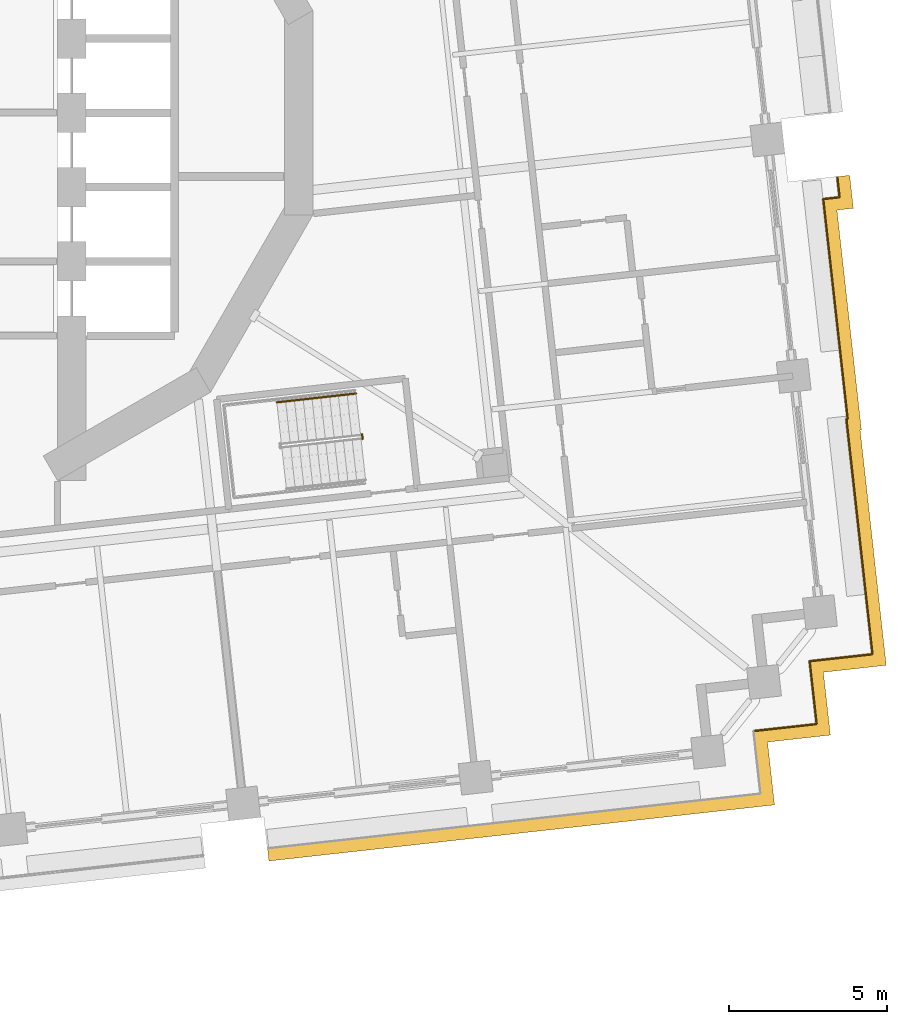
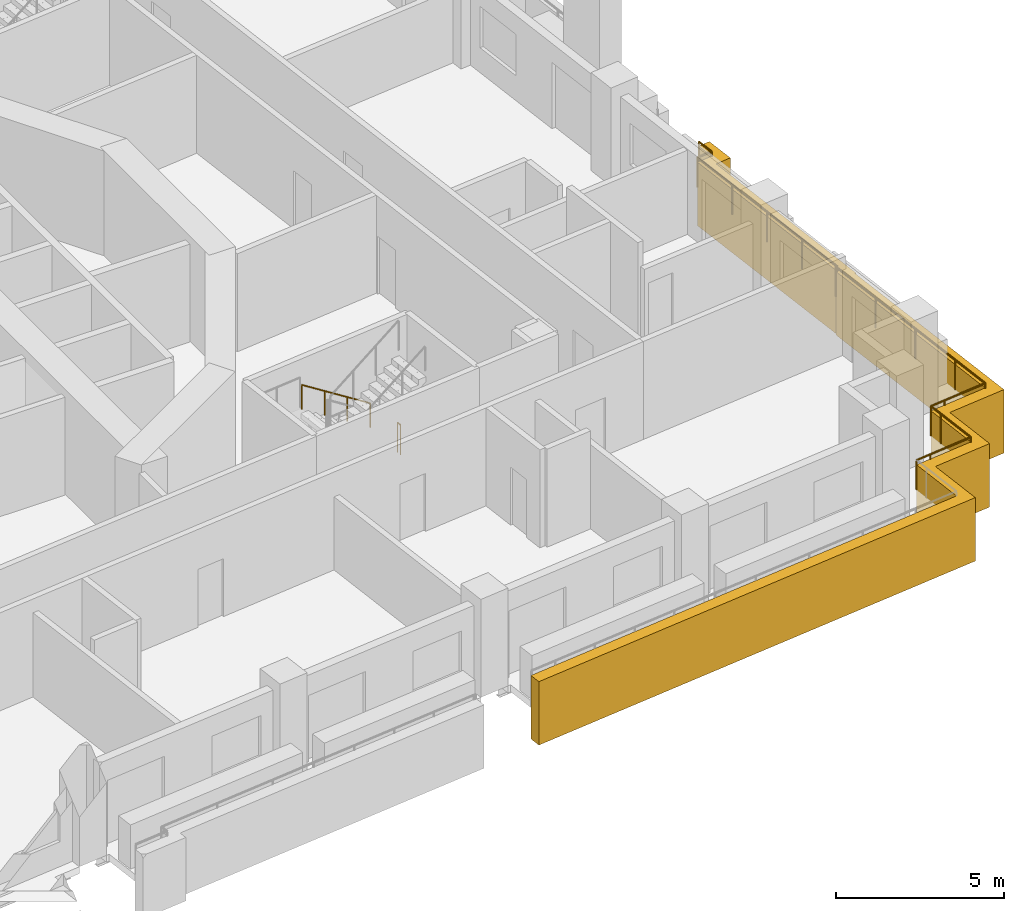
# One storey, part 15 of 19: 3 railings, 1 covering.
"""IFC4 building model written with IfcOpenShell, lengths in metres."""

from ifc_helpers import new_model, si_unit, direction, frame, origin, origin_2d, place, context, subcontext, project, spatial, polyline, circle, outline, extrude, material, type_object, element, save


model = new_model("IFC4")

# Units and contexts
model_context = context("Model", 3, precision=1e-05, world=origin(), true_north=direction((0.0, 1.0)))
body_context = subcontext(model_context, "Body", "Model", "MODEL_VIEW")
ifc_project = project(units=[si_unit("LENGTHUNIT", "METRE"), si_unit("AREAUNIT", "SQUARE_METRE"), si_unit("VOLUMEUNIT", "CUBIC_METRE"), si_unit("PLANEANGLEUNIT", "RADIAN"), si_unit("MASSUNIT", "GRAM", prefix="KILO")], contexts=[model_context])

# Site, building, storey
site_placement = place(None, origin())
site = spatial("IfcSite", under=ifc_project, at=site_placement, CompositionType="ELEMENT")
building_placement = place(site_placement, origin())
building = spatial("IfcBuilding", under=site, at=building_placement, Name="Cantera Rosa Tower", CompositionType="ELEMENT")
storey_placement = place(building_placement, frame((0.0, 0.0, 65.300048828125)))
storey = spatial("IfcBuildingStorey", under=building, at=storey_placement, Name="L13", CompositionType="ELEMENT", Elevation=65.300048828125)

# Railings
ifc_material_1 = material(Name="Stainless steel and laminated glass", Category="steel")
railing_type_1 = type_object("IfcRailingType", Name="GUARD 1100", PredefinedType="BALUSTRADE", material=ifc_material_1)
railing_1_placement = place(storey_placement, frame((28.659423828125, -2.041015625, 0.0)))
element("IfcRailing", 1, at=railing_1_placement, inside=storey, type_object=railing_type_1, Name="GUARD L13-8", PredefinedType="BALUSTRADE", context=body_context, shape_type="SweptSolid", body=[
    extrude(circle(Radius=0.030029296875, at=origin_2d()), frame((0.0, 0.0, 1.070068359375), z_axis=(0.110559257296, -0.993869534006, 0.0), x_axis=(0.993869534006, 0.110559257296, 0.0)), (0.0, 0.0, 1.0), 0.62939453125),
    extrude(circle(Radius=0.030029296875, at=origin_2d()), frame((0.069580078125, -0.62548828125, 1.070068359375), z_axis=(-0.993883734674, -0.110431526075, 0.0), x_axis=(0.110431526075, -0.993883734674, 0.0)), (0.0, 0.0, 1.0), 0.51953125),
    extrude(circle(Radius=0.030029296875, at=origin_2d()), frame((-0.44677734375, -0.682861328125, 1.070068359375), z_axis=(0.110339663776, -0.993893937298, 0.0), x_axis=(0.993893937298, 0.110339663776, 0.0)), (0.0, 0.0, 1.0), 7.000732421875),
    extrude(circle(Radius=0.030029296875, at=origin_2d()), frame((0.32568359375, -7.640869140625, 1.070068359375), z_axis=(-0.994030677348, -0.109100928002, 0.0), x_axis=(0.109100928002, -0.994030677348, 0.0)), (0.0, 0.0, 1.0), 0.040283203125),
    extrude(circle(Radius=0.030029296875, at=origin_2d()), frame((0.28564453125, -7.645263671875, 1.070068359375), z_axis=(0.110315018508, -0.993896673046, 0.0), x_axis=(0.993896673046, 0.110315018508, 0.0)), (0.0, 0.0, 1.0), 5.979736328125),
    extrude(circle(Radius=0.030029296875, at=origin_2d()), frame((0.9453125, -13.588623046875, 1.070068359375), z_axis=(0.110360064491, -0.993891672249, 0.0), x_axis=(0.993891672249, 0.110360064491, 0.0)), (0.0, 0.0, 1.0), 1.5),
    extrude(circle(Radius=0.030029296875, at=origin_2d()), frame((1.11083984375, -15.079345703125, 1.070068359375), z_axis=(-0.993891672249, -0.110360064491, 0.0), x_axis=(0.110360064491, -0.993891672249, 0.0)), (0.0, 0.0, 1.0), 1.5),
    extrude(circle(Radius=0.030029296875, at=origin_2d()), frame((-0.3798828125, -15.244873046875, 1.070068359375), z_axis=(-0.993895635261, -0.110324368158, 0.0), x_axis=(0.110324368158, -0.993895635261, 0.0)), (0.0, 0.0, 1.0), 0.500244140625),
    extrude(circle(Radius=0.030029296875, at=origin_2d()), frame((-0.876953125, -15.300048828125, 1.070068359375), z_axis=(0.110324368158, -0.993895635261, 0.0), x_axis=(0.993895635261, 0.110324368158, 0.0)), (0.0, 0.0, 1.0), 0.500244140625),
    extrude(circle(Radius=0.030029296875, at=origin_2d()), frame((-0.82177734375, -15.797119140625, 1.070068359375), z_axis=(0.110360064491, -0.993891672249, 0.0), x_axis=(0.993891672249, 0.110360064491, 0.0)), (0.0, 0.0, 1.0), 1.5),
    extrude(circle(Radius=0.030029296875, at=origin_2d()), frame((-0.65625, -17.287841796875, 1.070068359375), z_axis=(-0.993893654236, -0.110342213455, 0.0), x_axis=(0.110342213455, -0.993893654236, 0.0)), (0.0, 0.0, 1.0), 1.500244140625),
    extrude(circle(Radius=0.030029296875, at=origin_2d()), frame((-2.147216796875, -17.453369140625, 1.070068359375), z_axis=(-0.9938896893, -0.110377921269, 0.0), x_axis=(0.110377921269, -0.9938896893, 0.0)), (0.0, 0.0, 1.0), 0.5),
    extrude(circle(Radius=0.02490234375, at=origin_2d()), origin(), (0.0, 0.0, 1.0), 1.0400390625),
    extrude(circle(Radius=0.02490234375, at=origin_2d()), frame((0.069580078125, -0.62548828125, 0.0)), (0.0, 0.0, 1.0), 1.0400390625),
    extrude(circle(Radius=0.02490234375, at=origin_2d()), frame((-0.44677734375, -0.682861328125, 0.0)), (0.0, 0.0, 1.0), 1.0400390625),
    extrude(circle(Radius=0.02490234375, at=origin_2d()), frame((-0.253662109375, -2.42236328125, 0.0)), (0.0, 0.0, 1.0), 1.0400390625),
    extrude(circle(Radius=0.02490234375, at=origin_2d()), frame((-0.060546875, -4.161865234375, 0.0)), (0.0, 0.0, 1.0), 1.0400390625),
    extrude(circle(Radius=0.02490234375, at=origin_2d()), frame((0.132568359375, -5.9013671875, 0.0)), (0.0, 0.0, 1.0), 1.0400390625),
    extrude(circle(Radius=0.02490234375, at=origin_2d()), frame((0.32568359375, -7.640869140625, 0.0)), (0.0, 0.0, 1.0), 1.0400390625),
    extrude(circle(Radius=0.02490234375, at=origin_2d()), frame((0.28564453125, -7.645263671875, 0.0)), (0.0, 0.0, 1.0), 1.0400390625),
    extrude(circle(Radius=0.02490234375, at=origin_2d()), frame((0.505615234375, -9.62646484375, 0.0)), (0.0, 0.0, 1.0), 1.0400390625),
    extrude(circle(Radius=0.02490234375, at=origin_2d()), frame((0.725341796875, -11.607421875, 0.0)), (0.0, 0.0, 1.0), 1.0400390625),
    extrude(circle(Radius=0.02490234375, at=origin_2d()), frame((0.9453125, -13.588623046875, 0.0)), (0.0, 0.0, 1.0), 1.0400390625),
    extrude(circle(Radius=0.02490234375, at=origin_2d()), frame((1.11083984375, -15.079345703125, 0.0)), (0.0, 0.0, 1.0), 1.0400390625),
    extrude(circle(Radius=0.02490234375, at=origin_2d()), frame((-0.3798828125, -15.244873046875, 0.0)), (0.0, 0.0, 1.0), 1.0400390625),
    extrude(circle(Radius=0.02490234375, at=origin_2d()), frame((-0.876953125, -15.300048828125, 0.0)), (0.0, 0.0, 1.0), 1.0400390625),
    extrude(circle(Radius=0.02490234375, at=origin_2d()), frame((-0.82177734375, -15.797119140625, 0.0)), (0.0, 0.0, 1.0), 1.0400390625),
    extrude(circle(Radius=0.02490234375, at=origin_2d()), frame((-0.65625, -17.287841796875, 0.0)), (0.0, 0.0, 1.0), 1.0400390625),
    extrude(circle(Radius=0.02490234375, at=origin_2d()), frame((-2.147216796875, -17.453369140625, 0.0)), (0.0, 0.0, 1.0), 1.0400390625),
    extrude(circle(Radius=0.02490234375, at=origin_2d()), frame((-2.64404296875, -17.508544921875, 0.0)), (0.0, 0.0, 1.0), 1.0400390625),
])
ifc_material_2 = material(Name="Steel S355J2 (EN 10025-2)", Category="steel")
railing_type_2 = type_object("IfcRailingType", Name="STAIR GUARD 1100", PredefinedType="GUARDRAIL", material=ifc_material_2)
railing_2_placement = place(storey_placement, frame((13.6328125, -10.16552734375, 0.0)))
element("IfcRailing", 2, at=railing_2_placement, inside=storey, type_object=railing_type_2, Name="L13 ST-14 stair guard 3", PredefinedType="GUARDRAIL", context=body_context, shape_type="SweptSolid", body=[
    extrude(circle(Radius=0.02392578125, at=origin_2d()), frame((0.0, 0.0, 1.076171875), z_axis=(0.110610055588, -0.993863881828, 0.0), x_axis=(0.993863881828, 0.110610055588, 0.0)), (0.0, 0.0, 1.0), 0.150146484375),
    extrude(circle(Radius=0.02099609375, at=origin_2d()), origin(), (0.0, 0.0, 1.0), 1.052001953125),
    extrude(circle(Radius=0.02099609375, at=origin_2d()), frame((0.0166015625, -0.149169921875, 0.0)), (0.0, 0.0, 1.0), 1.052001953125),
])
ifc_material_3 = material(Name="Steel S355J2 (EN 10025-2)", Category="steel")
railing_type_3 = type_object("IfcRailingType", Name="STAIR HANDRAIL 900", PredefinedType="HANDRAIL", material=ifc_material_3)
railing_3_placement = place(storey_placement, frame((13.439697265625, -8.87890625, 0.18994140625)))
element("IfcRailing", 3, at=railing_3_placement, inside=storey, type_object=railing_type_3, Name="L13 ST-14 stair handrail 1", PredefinedType="HANDRAIL", context=body_context, shape_type="SweptSolid", body=[
    extrude(circle(Radius=0.02392578125, at=origin_2d()), frame((0.0, 0.0, 0.8759765625), z_axis=(-0.822431337597, -0.091310000343, 0.561488360321), x_axis=(0.110346460196, -0.993893182753, 0.0)), (0.0, 0.0, 1.0), 3.04541015625),
    extrude(circle(Radius=0.02099609375, at=origin_2d()), origin(), (0.0, 0.0, 1.0), 0.851806640625),
    extrude(circle(Radius=0.02099609375, at=origin_2d()), frame((-0.8349609375, -0.0927734375, 0.570068359375)), (0.0, 0.0, 1.0), 0.851806640625),
    extrude(circle(Radius=0.02099609375, at=origin_2d()), frame((-1.669677734375, -0.185302734375, 1.139892578125)), (0.0, 0.0, 1.0), 0.851806640625),
    extrude(circle(Radius=0.02099609375, at=origin_2d()), frame((-2.504638671875, -0.278076171875, 1.7099609375)), (0.0, 0.0, 1.0), 0.851806640625),
])

# Covering
ifc_material_4 = material(Name="Cantera stone", Category="masonry")
covering_type = type_object("IfcCoveringType", Name="TRAY FASCIA 400", PredefinedType="CLADDING", material=ifc_material_4)
covering_placement = place(storey_placement, frame((0.0, 0.0, -1.400146484375)))
element("IfcCovering", 4, at=covering_placement, inside=storey, type_object=covering_type, Name="TRAY FASCIA L13-06", PredefinedType="CLADDING", context=body_context, shape_type="SweptSolid", body=[
    extrude(outline(polyline([(29.170654296875, -3.02001953125), (28.654541015625, -3.077392578125), (29.4267578125, -10.03515625), (29.386962890625, -10.03955078125), (30.00244140625, -15.58544921875), (30.2119140625, -17.473876953125), (28.323486328125, -17.68359375), (28.22412109375, -17.694580078125), (28.235107421875, -17.7939453125), (28.44482421875, -19.682373046875), (26.556396484375, -19.891845703125), (26.45703125, -19.90283203125), (26.468017578125, -20.002197265625), (26.677734375, -21.890625), (24.789306640625, -22.100341796875), (18.92529296875, -22.751220703125), (15.943603515625, -23.08203125), (11.5703125, -23.5673828125), (10.685791015625, -23.665771484375), (10.6416015625, -23.26806640625), (11.5263671875, -23.169921875), (15.8994140625, -22.6845703125), (18.881103515625, -22.353515625), (24.7451171875, -21.70263671875), (26.23583984375, -21.537353515625), (26.070556640625, -20.04638671875), (26.015380859375, -19.549560546875), (26.51220703125, -19.494384765625), (28.003173828125, -19.328857421875), (27.837646484375, -17.838134765625), (27.782470703125, -17.341064453125), (28.279541015625, -17.285888671875), (29.770263671875, -17.120361328125), (29.604736328125, -15.629638671875), (28.945068359375, -9.686279296875), (28.985107421875, -9.681884765625), (28.212646484375, -2.723876953125), (28.72900390625, -2.66650390625), (28.6572265625, -2.02099609375), (29.054931640625, -1.97705078125), (29.170654296875, -3.02001953125)])), origin(), (0.0, 0.0, 1.0), 2.300048828125),
])

save(model, "model.ifc")
